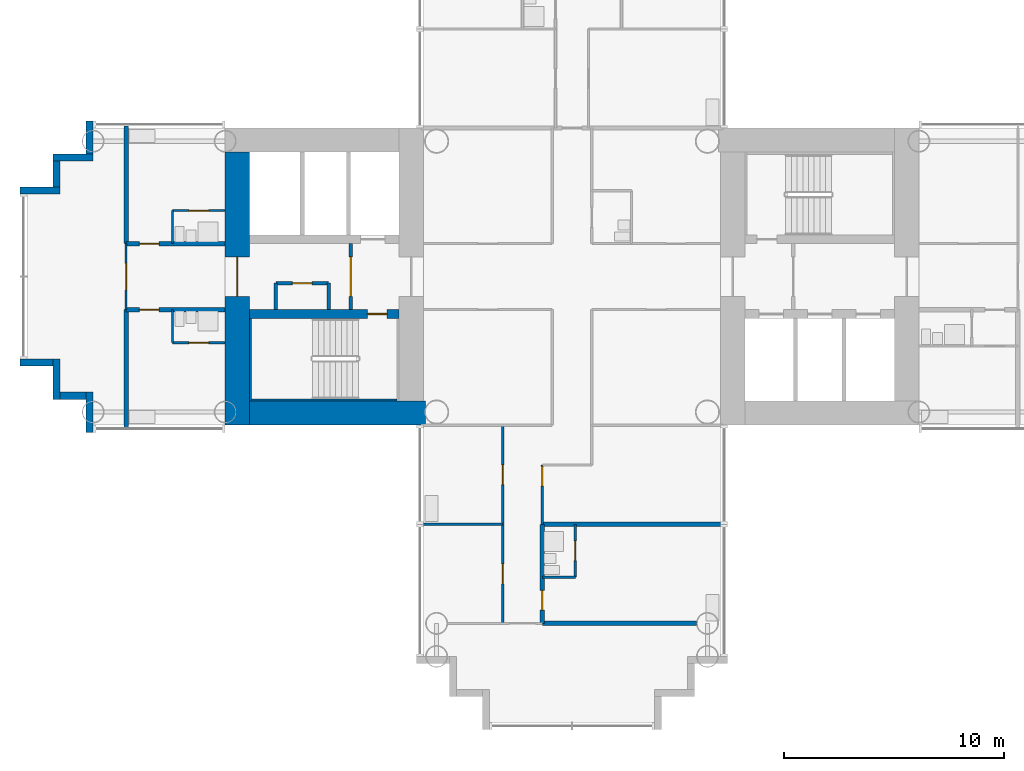
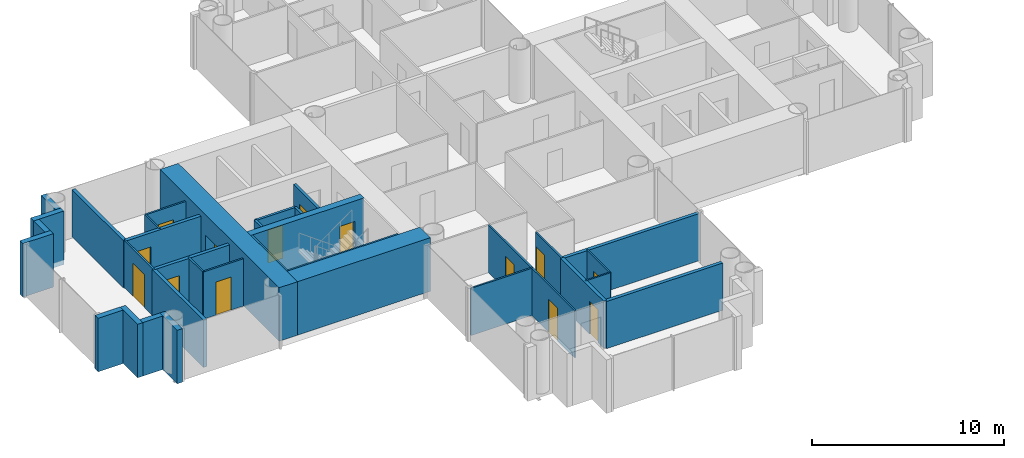
# One storey, part 9 of 21: 34 walls, 14 doors, 14 openings.
"""IFC4 building model written with IfcOpenShell, lengths in metres."""

from ifc_helpers import new_model, si_unit, direction, frame, frame_2d, origin, place, context, subcontext, project, spatial, rectangle, extrude, material, layer, layer_set, type_object, element, fill, save


model = new_model("IFC4")

# Units and contexts
model_context = context("Model", 3, precision=1e-05, world=origin(), true_north=direction((0.0, 1.0)))
body_context = subcontext(model_context, "Body", "Model", "MODEL_VIEW")
ifc_project = project(units=[si_unit("LENGTHUNIT", "METRE"), si_unit("AREAUNIT", "SQUARE_METRE"), si_unit("VOLUMEUNIT", "CUBIC_METRE"), si_unit("PLANEANGLEUNIT", "RADIAN"), si_unit("MASSUNIT", "GRAM", prefix="KILO")], contexts=[model_context])

# Site, building, storey
site_placement = place(None, origin())
site = spatial("IfcSite", under=ifc_project, at=site_placement, CompositionType="ELEMENT")
building_placement = place(site_placement, origin())
building = spatial("IfcBuilding", under=site, at=building_placement, Name="Ipe Terrace Towers", CompositionType="ELEMENT")
storey_placement = place(building_placement, frame((0.0, 0.0, 27.89990234375)))
storey = spatial("IfcBuildingStorey", under=building, at=storey_placement, Name="L06", CompositionType="ELEMENT", Elevation=27.89990234375)

# Walls
ifc_material_1 = material(Name="Concrete C40/50 with buff precast cladding", Category="concrete")
ifc_layer_1 = layer(ifc_material_1, 0.320068359375)
ifc_layer_set_1 = layer_set([ifc_layer_1], Name="BUFF CLADDING WALL 320")
wall_type_1 = type_object("IfcWallType", Name="BUFF CLADDING WALL 320", PredefinedType="STANDARD", material=ifc_layer_set_1)
wall_1_placement = place(storey_placement, frame((-61.070068359375, -3.909912109375, -0.2998046875), z_axis=(0.0, 0.0, 1.0), x_axis=(1.0, 0.0, 0.0)))
element("IfcWall", 1, at=wall_1_placement, inside=storey, type_object=wall_type_1, Name="T1-W-L06-00a wall", PredefinedType="STANDARD", context=body_context, shape_type="SweptSolid", body=[
    extrude(rectangle(XDim=1.5, YDim=0.320068359375, at=frame_2d((0.75, 0.0))), origin(), (0.0, 0.0, 1.0), 3.39990234375),
])
wall_2_placement = place(storey_placement, frame((-59.409912109375, -3.75, -0.2998046875), z_axis=(0.0, 0.0, 1.0), x_axis=(0.0, -1.0, 0.0)))
element("IfcWall", 2, at=wall_2_placement, inside=storey, type_object=wall_type_1, Name="T1-W-L06-01a wall", PredefinedType="STANDARD", context=body_context, shape_type="SweptSolid", body=[
    extrude(rectangle(XDim=1.820068359375, YDim=0.320068359375, at=frame_2d((0.91015625, 0.0))), origin(), (0.0, 0.0, 1.0), 3.39990234375),
])
wall_3_placement = place(storey_placement, frame((-59.25, -5.409912109375, -0.2998046875), z_axis=(0.0, 0.0, 1.0), x_axis=(1.0, 0.0, 0.0)))
element("IfcWall", 3, at=wall_3_placement, inside=storey, type_object=wall_type_1, Name="T1-W-L06-02a wall", PredefinedType="STANDARD", context=body_context, shape_type="SweptSolid", body=[
    extrude(rectangle(XDim=1.179931640625, YDim=0.320068359375, at=frame_2d((0.58984375, 0.0))), origin(), (0.0, 0.0, 1.0), 3.39990234375),
])
wall_4_placement = place(storey_placement, frame((-57.909912109375, -5.25, -0.2998046875), z_axis=(0.0, 0.0, 1.0), x_axis=(0.0, -1.0, 0.0)))
element("IfcWall", 4, at=wall_4_placement, inside=storey, type_object=wall_type_1, Name="T1-W-L06-03a wall", PredefinedType="STANDARD", context=body_context, shape_type="SweptSolid", body=[
    extrude(rectangle(XDim=1.820068359375, YDim=0.320068359375, at=frame_2d((0.91015625, 0.0))), origin(), (0.0, 0.0, 1.0), 3.39990234375),
])
wall_5_placement = place(storey_placement, frame((-57.909912109375, 7.070068359375, -0.2998046875), z_axis=(0.0, 0.0, 1.0), x_axis=(0.0, -1.0, 0.0)))
element("IfcWall", 5, at=wall_5_placement, inside=storey, type_object=wall_type_1, Name="T1-W-L06-47a wall", PredefinedType="STANDARD", context=body_context, shape_type="SweptSolid", body=[
    extrude(rectangle(XDim=1.5, YDim=0.320068359375, at=frame_2d((0.75, 0.0))), origin(), (0.0, 0.0, 1.0), 3.39990234375),
])
wall_6_placement = place(storey_placement, frame((-57.75, 5.409912109375, -0.2998046875), z_axis=(0.0, 0.0, 1.0), x_axis=(-1.0, 0.0, 0.0)))
element("IfcWall", 6, at=wall_6_placement, inside=storey, type_object=wall_type_1, Name="T1-W-L06-48a wall", PredefinedType="STANDARD", context=body_context, shape_type="SweptSolid", body=[
    extrude(rectangle(XDim=1.820068359375, YDim=0.320068359375, at=frame_2d((0.91015625, 0.0))), origin(), (0.0, 0.0, 1.0), 3.39990234375),
])
wall_7_placement = place(storey_placement, frame((-59.409912109375, 5.25, -0.2998046875), z_axis=(0.0, 0.0, 1.0), x_axis=(0.0, -1.0, 0.0)))
element("IfcWall", 7, at=wall_7_placement, inside=storey, type_object=wall_type_1, Name="T1-W-L06-49a wall", PredefinedType="STANDARD", context=body_context, shape_type="SweptSolid", body=[
    extrude(rectangle(XDim=1.179931640625, YDim=0.320068359375, at=frame_2d((0.58984375, 0.0))), origin(), (0.0, 0.0, 1.0), 3.39990234375),
])
wall_8_placement = place(storey_placement, frame((-59.25, 3.909912109375, -0.2998046875), z_axis=(0.0, 0.0, 1.0), x_axis=(-1.0, 0.0, 0.0)))
element("IfcWall", 8, at=wall_8_placement, inside=storey, type_object=wall_type_1, Name="T1-W-L06-50a wall", PredefinedType="STANDARD", context=body_context, shape_type="SweptSolid", body=[
    extrude(rectangle(XDim=1.820068359375, YDim=0.320068359375, at=frame_2d((0.91015625, 0.0))), origin(), (0.0, 0.0, 1.0), 3.39990234375),
])

# Wall, opening, door
ifc_material_2 = material(Name="Gypsum board partition", Category="plasterboard")
ifc_layer_2 = layer(ifc_material_2, 0.10009765625)
ifc_layer_set_2 = layer_set([ifc_layer_2], Name="Gypsum board partition 100 mm")
wall_type_2 = type_object("IfcWallType", Name="Gypsum board partition 100 mm", PredefinedType="PARTITIONING", material=ifc_layer_set_2)
wall_9_placement = place(storey_placement, frame((-56.25, -1.5, 0.0), z_axis=(0.0, 0.0, 1.0), x_axis=(0.0, 1.0, 0.0)))
wall_9 = element("IfcWall", 9, at=wall_9_placement, inside=storey, type_object=wall_type_2, Name="Gypsum board partition T1 L06 W01", PredefinedType="PARTITIONING", context=body_context, shape_type="SweptSolid", body=[
    extrude(rectangle(XDim=3.0, YDim=0.10009765625, at=frame_2d((1.5, 0.0))), origin(), (0.0, 0.0, 1.0), 3.0),
])
opening_1_placement = place(wall_9_placement, frame((0.89990234375, 0.0, 0.0)))
opening_1 = element("IfcOpeningElement", 10, at=opening_1_placement, cuts=wall_9, Name="Opening T1-Z1A-31", PredefinedType="OPENING", context=body_context, shape_type="SweptSolid", body=[
    extrude(rectangle(XDim=1.199951171875, YDim=2.10009765625, at=frame_2d((0.60009765625, 1.050048828125))), frame((0.0, 0.06005859375, 0.0), z_axis=(0.0, -1.0, 0.0), x_axis=(1.0, 0.0, 0.0)), (0.0, 0.0, 1.0), 0.1201171875),
])
ifc_material_3 = material(Name="Timber door leaf", Category="wood")
door_type_1 = type_object("IfcDoorType", Name="Lounge door 1200 x 2100", OperationType="NOTDEFINED", PredefinedType="DOOR", material=ifc_material_3)
door_1_placement = place(opening_1_placement, origin())
door_1 = element("IfcDoor", 11, at=door_1_placement, inside=storey, type_object=door_type_1, Name="Lounge door T1-Z1A-31", OperationType="SINGLE_SWING_LEFT", OverallHeight=2.10009765625, OverallWidth=1.199951171875, PredefinedType="DOOR", context=body_context, shape_type="SweptSolid", body=[
    extrude(rectangle(XDim=1.199951171875, YDim=2.10009765625, at=frame_2d((0.60009765625, 1.050048828125))), frame((0.0, 0.02490234375, 0.0), z_axis=(0.0, -1.0, 0.0), x_axis=(1.0, 0.0, 0.0)), (0.0, 0.0, 1.0), 0.050048828125),
])
fill(opening_1, door_1)

# Walls
for number, where, z_axis, x_axis, name in (
    (12, (-54.14990234375, -3.0, 0.0), (0.0, 0.0, 1.0), (0.0, 1.0, 0.0), "Gypsum board partition T1 L06 W04"),
    (13, (-54.14990234375, 1.5, 0.0), (0.0, 0.0, 1.0), (0.0, 1.0, 0.0), "Gypsum board partition T1 L06 W05"),
):
    element("IfcWall", number, at=place(storey_placement, frame(where, z_axis=z_axis, x_axis=x_axis)), inside=storey, type_object=wall_type_2, Name=name, PredefinedType="PARTITIONING", context=body_context, shape_type="SweptSolid", body=[
        extrude(rectangle(XDim=1.5, YDim=0.10009765625, at=frame_2d((0.75, 0.0))), origin(), (0.0, 0.0, 1.0), 3.0),
    ])

# Wall, openings, doors
wall_10_placement = place(storey_placement, frame((-39.14990234375, -15.75, 0.0), z_axis=(0.0, 0.0, 1.0), x_axis=(0.0, 1.0, 0.0)))
wall_10 = element("IfcWall", 14, at=wall_10_placement, inside=storey, type_object=wall_type_2, Name="Gypsum board partition T1 L06 W06", PredefinedType="PARTITIONING", context=body_context, shape_type="SweptSolid", body=[
    extrude(rectangle(XDim=9.0, YDim=0.10009765625, at=frame_2d((4.5, 0.0))), origin(), (0.0, 0.0, 1.0), 3.0),
])
opening_2_placement = place(wall_10_placement, frame((6.300048828125, 0.0, 0.0)))
opening_2 = element("IfcOpeningElement", 15, at=opening_2_placement, cuts=wall_10, Name="Opening T1-Z1A-19", PredefinedType="OPENING", context=body_context, shape_type="SweptSolid", body=[
    extrude(rectangle(XDim=0.89990234375, YDim=2.10009765625, at=frame_2d((0.449951171875, 1.050048828125))), frame((0.0, 0.06005859375, 0.0), z_axis=(0.0, -1.0, 0.0), x_axis=(1.0, 0.0, 0.0)), (0.0, 0.0, 1.0), 0.1201171875),
])
opening_3_placement = place(wall_10_placement, frame((1.800048828125, 0.0, 0.0)))
opening_3 = element("IfcOpeningElement", 16, at=opening_3_placement, cuts=wall_10, Name="Opening T1-Z1A-20", PredefinedType="OPENING", context=body_context, shape_type="SweptSolid", body=[
    extrude(rectangle(XDim=0.89990234375, YDim=2.10009765625, at=frame_2d((0.449951171875, 1.050048828125))), frame((0.0, 0.06005859375, 0.0), z_axis=(0.0, -1.0, 0.0), x_axis=(1.0, 0.0, 0.0)), (0.0, 0.0, 1.0), 0.1201171875),
])
ifc_material_4 = material(Name="Timber door leaf", Category="wood")
door_type_2 = type_object("IfcDoorType", Name="Lounge door 900 x 2100", OperationType="NOTDEFINED", PredefinedType="DOOR", material=ifc_material_4)
door_2_placement = place(opening_2_placement, origin())
door_2 = element("IfcDoor", 17, at=door_2_placement, inside=storey, type_object=door_type_2, Name="Lounge door T1-Z1A-19", OperationType="SINGLE_SWING_LEFT", OverallHeight=2.10009765625, OverallWidth=0.89990234375, PredefinedType="DOOR", context=body_context, shape_type="SweptSolid", body=[
    extrude(rectangle(XDim=0.89990234375, YDim=2.10009765625, at=frame_2d((0.449951171875, 1.050048828125))), frame((0.0, 0.02490234375, 0.0), z_axis=(0.0, -1.0, 0.0), x_axis=(1.0, 0.0, 0.0)), (0.0, 0.0, 1.0), 0.050048828125),
])
fill(opening_2, door_2)
door_3_placement = place(opening_3_placement, origin())
door_3 = element("IfcDoor", 18, at=door_3_placement, inside=storey, type_object=door_type_2, Name="Lounge door T1-Z1A-20", OperationType="SINGLE_SWING_RIGHT", OverallHeight=2.10009765625, OverallWidth=0.89990234375, PredefinedType="DOOR", context=body_context, shape_type="SweptSolid", body=[
    extrude(rectangle(XDim=0.89990234375, YDim=2.10009765625, at=frame_2d((0.449951171875, 1.050048828125))), frame((0.0, 0.02490234375, 0.0), z_axis=(0.0, -1.0, 0.0), x_axis=(1.0, 0.0, 0.0)), (0.0, 0.0, 1.0), 0.050048828125),
])
fill(opening_3, door_3)

# Wall, opening, door
wall_11_placement = place(storey_placement, frame((-37.35009765625, -11.25, 0.0), z_axis=(0.0, 0.0, 1.0), x_axis=(0.0, 1.0, 0.0)))
wall_11 = element("IfcWall", 19, at=wall_11_placement, inside=storey, type_object=wall_type_2, Name="Gypsum board partition T1 L06 W08", PredefinedType="PARTITIONING", context=body_context, shape_type="SweptSolid", body=[
    extrude(rectangle(XDim=2.699951171875, YDim=0.10009765625, at=frame_2d((1.35009765625, 0.0))), origin(), (0.0, 0.0, 1.0), 3.0),
])
opening_4_placement = place(wall_11_placement, frame((1.72998046875, 0.0, 0.0)))
opening_4 = element("IfcOpeningElement", 20, at=opening_4_placement, cuts=wall_11, Name="Opening T1-Z1A-16", PredefinedType="OPENING", context=body_context, shape_type="SweptSolid", body=[
    extrude(rectangle(XDim=0.89990234375, YDim=2.10009765625, at=frame_2d((0.449951171875, 1.050048828125))), frame((0.0, 0.06005859375, 0.0), z_axis=(0.0, -1.0, 0.0), x_axis=(1.0, 0.0, 0.0)), (0.0, 0.0, 1.0), 0.1201171875),
])
door_4_placement = place(opening_4_placement, origin())
door_4 = element("IfcDoor", 21, at=door_4_placement, inside=storey, type_object=door_type_2, Name="Lounge door T1-Z1A-16", OperationType="SINGLE_SWING_RIGHT", OverallHeight=2.10009765625, OverallWidth=0.89990234375, PredefinedType="DOOR", context=body_context, shape_type="SweptSolid", body=[
    extrude(rectangle(XDim=0.89990234375, YDim=2.10009765625, at=frame_2d((0.449951171875, 1.050048828125))), frame((0.0, 0.02490234375, 0.0), z_axis=(0.0, -1.0, 0.0), x_axis=(1.0, 0.0, 0.0)), (0.0, 0.0, 1.0), 0.050048828125),
])
fill(opening_4, door_4)

wall_12_placement = place(storey_placement, frame((-35.85009765625, -13.64990234375, 0.0), z_axis=(0.0, 0.0, 1.0), x_axis=(0.0, 1.0, 0.0)))
wall_12 = element("IfcWall", 22, at=wall_12_placement, inside=storey, type_object=wall_type_2, Name="Gypsum board partition T1 L06 W13", PredefinedType="PARTITIONING", context=body_context, shape_type="SweptSolid", body=[
    extrude(rectangle(XDim=2.39990234375, YDim=0.10009765625, at=frame_2d((1.199951171875, 0.0))), origin(), (0.0, 0.0, 1.0), 3.0),
])
opening_5_placement = place(wall_12_placement, frame((0.75, 0.0, 0.0)))
opening_5 = element("IfcOpeningElement", 23, at=opening_5_placement, cuts=wall_12, Name="Opening T1-Z1A-18", PredefinedType="OPENING", context=body_context, shape_type="SweptSolid", body=[
    extrude(rectangle(XDim=0.89990234375, YDim=2.10009765625, at=frame_2d((0.449951171875, 1.050048828125))), frame((0.0, 0.06005859375, 0.0), z_axis=(0.0, -1.0, 0.0), x_axis=(1.0, 0.0, 0.0)), (0.0, 0.0, 1.0), 0.1201171875),
])
ifc_material_5 = material(Name="Timber door leaf", Category="wood")
door_type_3 = type_object("IfcDoorType", Name="Bathroom door 900 x 2100", OperationType="NOTDEFINED", PredefinedType="DOOR", material=ifc_material_5)
door_5_placement = place(opening_5_placement, origin())
door_5 = element("IfcDoor", 24, at=door_5_placement, inside=storey, type_object=door_type_3, Name="Bathroom door T1-Z1A-18", OperationType="SINGLE_SWING_LEFT", OverallHeight=2.10009765625, OverallWidth=0.89990234375, PredefinedType="DOOR", context=body_context, shape_type="SweptSolid", body=[
    extrude(rectangle(XDim=0.89990234375, YDim=2.10009765625, at=frame_2d((0.449951171875, 1.050048828125))), frame((0.0, 0.02490234375, 0.0), z_axis=(0.0, -1.0, 0.0), x_axis=(1.0, 0.0, 0.0)), (0.0, 0.0, 1.0), 0.050048828125),
])
fill(opening_5, door_5)

# Walls
wall_13_placement = place(storey_placement, frame((-37.35009765625, -13.64990234375, 0.0), z_axis=(0.0, 0.0, 1.0), x_axis=(1.0, 0.0, 0.0)))
element("IfcWall", 25, at=wall_13_placement, inside=storey, type_object=wall_type_2, Name="Gypsum board partition T1 L06 W24", PredefinedType="PARTITIONING", context=body_context, shape_type="SweptSolid", body=[
    extrude(rectangle(XDim=1.5, YDim=0.10009765625, at=frame_2d((0.75, 0.0))), origin(), (0.0, 0.0, 1.0), 3.0),
])
wall_14_placement = place(storey_placement, frame((-42.85009765625, -11.25, 0.0), z_axis=(0.0, 0.0, 1.0), x_axis=(1.0, 0.0, 0.0)))
element("IfcWall", 26, at=wall_14_placement, inside=storey, type_object=wall_type_2, Name="Gypsum board partition T1 L06 W25", PredefinedType="PARTITIONING", context=body_context, shape_type="SweptSolid", body=[
    extrude(rectangle(XDim=3.7001953125, YDim=0.10009765625, at=frame_2d((1.85009765625, 0.0))), origin(), (0.0, 0.0, 1.0), 3.0),
])

# Wall, opening, door
wall_15_placement = place(storey_placement, frame((-54.14990234375, -3.0, 0.0), z_axis=(0.0, 0.0, 1.0), x_axis=(1.0, 0.0, 0.0)))
wall_15 = element("IfcWall", 27, at=wall_15_placement, inside=storey, type_object=wall_type_2, Name="Gypsum board partition T1 L06 W31", PredefinedType="PARTITIONING", context=body_context, shape_type="SweptSolid", body=[
    extrude(rectangle(XDim=2.39990234375, YDim=0.10009765625, at=frame_2d((1.199951171875, 0.0))), origin(), (0.0, 0.0, 1.0), 3.0),
])
opening_6_placement = place(wall_15_placement, frame((0.75, 0.0, 0.0)))
opening_6 = element("IfcOpeningElement", 28, at=opening_6_placement, cuts=wall_15, Name="Opening T1-Z1A-28", PredefinedType="OPENING", context=body_context, shape_type="SweptSolid", body=[
    extrude(rectangle(XDim=0.89990234375, YDim=2.10009765625, at=frame_2d((0.449951171875, 1.050048828125))), frame((0.0, 0.06005859375, 0.0), z_axis=(0.0, -1.0, 0.0), x_axis=(1.0, 0.0, 0.0)), (0.0, 0.0, 1.0), 0.1201171875),
])
door_6_placement = place(opening_6_placement, origin())
door_6 = element("IfcDoor", 29, at=door_6_placement, inside=storey, type_object=door_type_3, Name="Bathroom door T1-Z1A-28", OperationType="SINGLE_SWING_LEFT", OverallHeight=2.10009765625, OverallWidth=0.89990234375, PredefinedType="DOOR", context=body_context, shape_type="SweptSolid", body=[
    extrude(rectangle(XDim=0.89990234375, YDim=2.10009765625, at=frame_2d((0.449951171875, 1.050048828125))), frame((0.0, 0.02490234375, 0.0), z_axis=(0.0, -1.0, 0.0), x_axis=(1.0, 0.0, 0.0)), (0.0, 0.0, 1.0), 0.050048828125),
])
fill(opening_6, door_6)

wall_16_placement = place(storey_placement, frame((-54.14990234375, 3.0, 0.0), z_axis=(0.0, 0.0, 1.0), x_axis=(1.0, 0.0, 0.0)))
wall_16 = element("IfcWall", 30, at=wall_16_placement, inside=storey, type_object=wall_type_2, Name="Gypsum board partition T1 L06 W40", PredefinedType="PARTITIONING", context=body_context, shape_type="SweptSolid", body=[
    extrude(rectangle(XDim=2.39990234375, YDim=0.10009765625, at=frame_2d((1.199951171875, 0.0))), origin(), (0.0, 0.0, 1.0), 3.0),
])
opening_7_placement = place(wall_16_placement, frame((0.75, 0.0, 0.0)))
opening_7 = element("IfcOpeningElement", 31, at=opening_7_placement, cuts=wall_16, Name="Opening T1-Z1A-30", PredefinedType="OPENING", context=body_context, shape_type="SweptSolid", body=[
    extrude(rectangle(XDim=0.89990234375, YDim=2.10009765625, at=frame_2d((0.449951171875, 1.050048828125))), frame((0.0, 0.06005859375, 0.0), z_axis=(0.0, -1.0, 0.0), x_axis=(1.0, 0.0, 0.0)), (0.0, 0.0, 1.0), 0.1201171875),
])
door_7_placement = place(opening_7_placement, origin())
door_7 = element("IfcDoor", 32, at=door_7_placement, inside=storey, type_object=door_type_3, Name="Bathroom door T1-Z1A-30", OperationType="SINGLE_SWING_RIGHT", OverallHeight=2.10009765625, OverallWidth=0.89990234375, PredefinedType="DOOR", context=body_context, shape_type="SweptSolid", body=[
    extrude(rectangle(XDim=0.89990234375, YDim=2.10009765625, at=frame_2d((0.449951171875, 1.050048828125))), frame((0.0, 0.02490234375, 0.0), z_axis=(0.0, -1.0, 0.0), x_axis=(1.0, 0.0, 0.0)), (0.0, 0.0, 1.0), 0.050048828125),
])
fill(opening_7, door_7)

ifc_material_6 = material(Name="Gypsum board partition", Category="plasterboard")
ifc_layer_3 = layer(ifc_material_6, 0.14990234375)
ifc_layer_set_3 = layer_set([ifc_layer_3], Name="Gypsum board partition 150 mm")
wall_type_3 = type_object("IfcWallType", Name="Gypsum board partition 150 mm", PredefinedType="PARTITIONING", material=ifc_layer_set_3)
wall_17_placement = place(storey_placement, frame((-46.050048828125, 1.5, 0.0), z_axis=(0.0, 0.0, 1.0), x_axis=(0.0, -1.0, 0.0)))
wall_17 = element("IfcWall", 33, at=wall_17_placement, inside=storey, type_object=wall_type_3, Name="Gypsum board partition T1 L06 t1c2-lobby-wall", PredefinedType="PARTITIONING", context=body_context, shape_type="SweptSolid", body=[
    extrude(rectangle(XDim=3.0, YDim=0.14990234375, at=frame_2d((1.5, 0.0))), origin(), (0.0, 0.0, 1.0), 3.0),
])
opening_8_placement = place(wall_17_placement, frame((0.60009765625, 0.0, 0.0)))
opening_8 = element("IfcOpeningElement", 34, at=opening_8_placement, cuts=wall_17, Name="Opening T1C2-VD", PredefinedType="OPENING", context=body_context, shape_type="SweptSolid", body=[
    extrude(rectangle(XDim=1.800048828125, YDim=2.10009765625, at=frame_2d((0.89990234375, 1.050048828125))), frame((0.0, 0.0849609375, 0.0), z_axis=(0.0, -1.0, 0.0), x_axis=(1.0, 0.0, 0.0)), (0.0, 0.0, 1.0), 0.169921875),
])
ifc_material_7 = material(Name="Fire-rated timber door leaf", Category="wood")
door_type_4 = type_object("IfcDoorType", Name="Lobby door 1800 x 2100 FD60", OperationType="NOTDEFINED", PredefinedType="DOOR", material=ifc_material_7)
door_8_placement = place(opening_8_placement, origin())
door_8 = element("IfcDoor", 35, at=door_8_placement, inside=storey, type_object=door_type_4, Name="Lobby door T1C2-VD", OperationType="SINGLE_SWING_LEFT", OverallHeight=2.10009765625, OverallWidth=1.800048828125, PredefinedType="DOOR", context=body_context, shape_type="SweptSolid", body=[
    extrude(rectangle(XDim=1.800048828125, YDim=2.10009765625, at=frame_2d((0.89990234375, 1.050048828125))), frame((0.0, 0.02490234375, 0.0), z_axis=(0.0, -1.0, 0.0), x_axis=(1.0, 0.0, 0.0)), (0.0, 0.0, 1.0), 0.050048828125),
])
fill(opening_8, door_8)

wall_18_placement = place(storey_placement, frame((-47.050048828125, -0.300048828125, 0.0), z_axis=(0.0, 0.0, 1.0), x_axis=(-1.0, 0.0, 0.0)))
wall_18 = element("IfcWall", 36, at=wall_18_placement, inside=storey, type_object=wall_type_3, Name="Gypsum board partition T1 L06 t1c2-cup-n-f", PredefinedType="PARTITIONING", context=body_context, shape_type="SweptSolid", body=[
    extrude(rectangle(XDim=2.39990234375, YDim=0.14990234375, at=frame_2d((1.199951171875, 0.0))), origin(), (0.0, 0.0, 1.0), 3.0),
])
opening_9_placement = place(wall_18_placement, frame((0.75, 0.0, 0.0)))
opening_9 = element("IfcOpeningElement", 37, at=opening_9_placement, cuts=wall_18, Name="Opening T1C2-SR", PredefinedType="OPENING", context=body_context, shape_type="SweptSolid", body=[
    extrude(rectangle(XDim=0.89990234375, YDim=2.10009765625, at=frame_2d((0.449951171875, 1.050048828125))), frame((0.0, 0.0849609375, 0.0), z_axis=(0.0, -1.0, 0.0), x_axis=(1.0, 0.0, 0.0)), (0.0, 0.0, 1.0), 0.169921875),
])
ifc_material_8 = material(Name="Fire-rated timber door leaf", Category="wood")
door_type_5 = type_object("IfcDoorType", Name="Service door 900 x 2100 FD60", OperationType="NOTDEFINED", PredefinedType="DOOR", material=ifc_material_8)
door_9_placement = place(opening_9_placement, origin())
door_9 = element("IfcDoor", 38, at=door_9_placement, inside=storey, type_object=door_type_5, Name="Service door T1C2-SR", OperationType="SINGLE_SWING_LEFT", OverallHeight=2.10009765625, OverallWidth=0.89990234375, PredefinedType="DOOR", context=body_context, shape_type="SweptSolid", body=[
    extrude(rectangle(XDim=0.89990234375, YDim=2.10009765625, at=frame_2d((0.449951171875, 1.050048828125))), frame((0.0, 0.02490234375, 0.0), z_axis=(0.0, -1.0, 0.0), x_axis=(1.0, 0.0, 0.0)), (0.0, 0.0, 1.0), 0.050048828125),
])
fill(opening_9, door_9)

# Walls
for number, where, z_axis, x_axis, name in (
    (39, (-47.050048828125, -0.300048828125, 0.0), (0.0, 0.0, 1.0), (0.0, -1.0, 0.0), "Gypsum board partition T1 L06 t1c2-cup-n-a"),
    (40, (-49.449951171875, -0.300048828125, 0.0), (0.0, 0.0, 1.0), (0.0, -1.0, 0.0), "Gypsum board partition T1 L06 t1c2-cup-n-b"),
):
    element("IfcWall", number, at=place(storey_placement, frame(where, z_axis=z_axis, x_axis=x_axis)), inside=storey, type_object=wall_type_3, Name=name, PredefinedType="PARTITIONING", context=body_context, shape_type="SweptSolid", body=[
        extrude(rectangle(XDim=1.199951171875, YDim=0.14990234375, at=frame_2d((0.60009765625, 0.0))), origin(), (0.0, 0.0, 1.0), 3.0),
    ])
ifc_material_9 = material(Name="Gypsum board party wall", Category="plasterboard")
ifc_layer_4 = layer(ifc_material_9, 0.199951171875)
ifc_layer_set_4 = layer_set([ifc_layer_4], Name="Gypsum board party wall 200 mm")
wall_type_4 = type_object("IfcWallType", Name="Gypsum board party wall 200 mm", PredefinedType="SOLIDWALL", material=ifc_layer_set_4)
for number, where, z_axis, x_axis, name in (
    (41, (-56.25, -6.85009765625, 0.0), (0.0, 0.0, 1.0), (0.0, 1.0, 0.0), "Gypsum board party wall T1 L06 W02"),
    (42, (-56.25, 1.5, 0.0), (0.0, 0.0, 1.0), (0.0, 1.0, 0.0), "Gypsum board party wall T1 L06 W03"),
):
    element("IfcWall", number, at=place(storey_placement, frame(where, z_axis=z_axis, x_axis=x_axis)), inside=storey, type_object=wall_type_4, Name=name, PredefinedType="SOLIDWALL", context=body_context, shape_type="SweptSolid", body=[
        extrude(rectangle(XDim=5.35009765625, YDim=0.199951171875, at=frame_2d((2.675048828125, 0.0))), origin(), (0.0, 0.0, 1.0), 3.0),
    ])

# Wall, opening, door
wall_19_placement = place(storey_placement, frame((-37.35009765625, -15.75, 0.0), z_axis=(0.0, 0.0, 1.0), x_axis=(0.0, 1.0, 0.0)))
wall_19 = element("IfcWall", 43, at=wall_19_placement, inside=storey, type_object=wall_type_4, Name="Gypsum board party wall T1 L06 W09", PredefinedType="SOLIDWALL", context=body_context, shape_type="SweptSolid", body=[
    extrude(rectangle(XDim=4.5, YDim=0.199951171875, at=frame_2d((2.25, 0.0))), origin(), (0.0, 0.0, 1.0), 3.0),
])
opening_10_placement = place(wall_19_placement, frame((0.60009765625, 0.0, 0.0)))
opening_10 = element("IfcOpeningElement", 44, at=opening_10_placement, cuts=wall_19, Name="Opening T1-Z1A-17", PredefinedType="OPENING", context=body_context, shape_type="SweptSolid", body=[
    extrude(rectangle(XDim=0.89990234375, YDim=2.10009765625, at=frame_2d((0.449951171875, 1.050048828125))), frame((0.0, 0.10986328125, 0.0), z_axis=(0.0, -1.0, 0.0), x_axis=(1.0, 0.0, 0.0)), (0.0, 0.0, 1.0), 0.219970703125),
])
ifc_material_10 = material(Name="Fire-rated timber door leaf", Category="wood")
door_type_6 = type_object("IfcDoorType", Name="Flat entrance door 900 x 2100 FD30S", OperationType="NOTDEFINED", PredefinedType="DOOR", material=ifc_material_10)
door_10_placement = place(opening_10_placement, origin())
door_10 = element("IfcDoor", 45, at=door_10_placement, inside=storey, type_object=door_type_6, Name="Flat entrance door T1-Z1A-17", OperationType="SINGLE_SWING_LEFT", OverallHeight=2.10009765625, OverallWidth=0.89990234375, PredefinedType="DOOR", context=body_context, shape_type="SweptSolid", body=[
    extrude(rectangle(XDim=0.89990234375, YDim=2.10009765625, at=frame_2d((0.449951171875, 1.050048828125))), frame((0.0, 0.02490234375, 0.0), z_axis=(0.0, -1.0, 0.0), x_axis=(1.0, 0.0, 0.0)), (0.0, 0.0, 1.0), 0.050048828125),
])
fill(opening_10, door_10)

# Walls
wall_20_placement = place(storey_placement, frame((-37.35009765625, -15.75, 0.0), z_axis=(0.0, 0.0, 1.0), x_axis=(1.0, 0.0, 0.0)))
element("IfcWall", 46, at=wall_20_placement, inside=storey, type_object=wall_type_4, Name="Gypsum board party wall T1 L06 W23", PredefinedType="SOLIDWALL", context=body_context, shape_type="SweptSolid", body=[
    extrude(rectangle(XDim=7.0, YDim=0.199951171875, at=frame_2d((3.5, 0.0))), origin(), (0.0, 0.0, 1.0), 3.0),
])
wall_21_placement = place(storey_placement, frame((-37.35009765625, -11.25, 0.0), z_axis=(0.0, 0.0, 1.0), x_axis=(1.0, 0.0, 0.0)))
element("IfcWall", 47, at=wall_21_placement, inside=storey, type_object=wall_type_4, Name="Gypsum board party wall T1 L06 W26", PredefinedType="SOLIDWALL", context=body_context, shape_type="SweptSolid", body=[
    extrude(rectangle(XDim=8.2001953125, YDim=0.199951171875, at=frame_2d((4.10009765625, 0.0))), origin(), (0.0, 0.0, 1.0), 3.0),
])

# Wall, opening, door
wall_22_placement = place(storey_placement, frame((-56.25, -1.5, 0.0), z_axis=(0.0, 0.0, 1.0), x_axis=(1.0, 0.0, 0.0)))
wall_22 = element("IfcWall", 48, at=wall_22_placement, inside=storey, type_object=wall_type_4, Name="Gypsum board party wall T1 L06 W34", PredefinedType="SOLIDWALL", context=body_context, shape_type="SweptSolid", body=[
    extrude(rectangle(XDim=4.5, YDim=0.199951171875, at=frame_2d((2.25, 0.0))), origin(), (0.0, 0.0, 1.0), 3.0),
])
opening_11_placement = place(wall_22_placement, frame((0.60009765625, 0.0, 0.0)))
opening_11 = element("IfcOpeningElement", 49, at=opening_11_placement, cuts=wall_22, Name="Opening T1-Z1A-27", PredefinedType="OPENING", context=body_context, shape_type="SweptSolid", body=[
    extrude(rectangle(XDim=0.89990234375, YDim=2.10009765625, at=frame_2d((0.449951171875, 1.050048828125))), frame((0.0, 0.10986328125, 0.0), z_axis=(0.0, -1.0, 0.0), x_axis=(1.0, 0.0, 0.0)), (0.0, 0.0, 1.0), 0.219970703125),
])
door_11_placement = place(opening_11_placement, origin())
door_11 = element("IfcDoor", 50, at=door_11_placement, inside=storey, type_object=door_type_6, Name="Flat entrance door T1-Z1A-27", OperationType="SINGLE_SWING_LEFT", OverallHeight=2.10009765625, OverallWidth=0.89990234375, PredefinedType="DOOR", context=body_context, shape_type="SweptSolid", body=[
    extrude(rectangle(XDim=0.89990234375, YDim=2.10009765625, at=frame_2d((0.449951171875, 1.050048828125))), frame((0.0, 0.02490234375, 0.0), z_axis=(0.0, -1.0, 0.0), x_axis=(1.0, 0.0, 0.0)), (0.0, 0.0, 1.0), 0.050048828125),
])
fill(opening_11, door_11)

wall_23_placement = place(storey_placement, frame((-56.25, 1.5, 0.0), z_axis=(0.0, 0.0, 1.0), x_axis=(1.0, 0.0, 0.0)))
wall_23 = element("IfcWall", 51, at=wall_23_placement, inside=storey, type_object=wall_type_4, Name="Gypsum board party wall T1 L06 W39", PredefinedType="SOLIDWALL", context=body_context, shape_type="SweptSolid", body=[
    extrude(rectangle(XDim=4.5, YDim=0.199951171875, at=frame_2d((2.25, 0.0))), origin(), (0.0, 0.0, 1.0), 3.0),
])
opening_12_placement = place(wall_23_placement, frame((0.60009765625, 0.0, 0.0)))
opening_12 = element("IfcOpeningElement", 52, at=opening_12_placement, cuts=wall_23, Name="Opening T1-Z1A-29", PredefinedType="OPENING", context=body_context, shape_type="SweptSolid", body=[
    extrude(rectangle(XDim=0.89990234375, YDim=2.10009765625, at=frame_2d((0.449951171875, 1.050048828125))), frame((0.0, 0.10986328125, 0.0), z_axis=(0.0, -1.0, 0.0), x_axis=(1.0, 0.0, 0.0)), (0.0, 0.0, 1.0), 0.219970703125),
])
door_12_placement = place(opening_12_placement, origin())
door_12 = element("IfcDoor", 53, at=door_12_placement, inside=storey, type_object=door_type_6, Name="Flat entrance door T1-Z1A-29", OperationType="SINGLE_SWING_RIGHT", OverallHeight=2.10009765625, OverallWidth=0.89990234375, PredefinedType="DOOR", context=body_context, shape_type="SweptSolid", body=[
    extrude(rectangle(XDim=0.89990234375, YDim=2.10009765625, at=frame_2d((0.449951171875, 1.050048828125))), frame((0.0, 0.02490234375, 0.0), z_axis=(0.0, -1.0, 0.0), x_axis=(1.0, 0.0, 0.0)), (0.0, 0.0, 1.0), 0.050048828125),
])
fill(opening_12, door_12)

# Walls
ifc_material_11 = material(Name="Concrete C60/75", Category="concrete")
ifc_layer_5 = layer(ifc_material_11, 0.10009765625)
ifc_layer_set_5 = layer_set([ifc_layer_5], Name="RW100 CORE INFILL WALL 100 C60-75")
wall_type_5 = type_object("IfcWallType", Name="RW100 CORE INFILL WALL 100 C60-75", PredefinedType="SHEAR", material=ifc_layer_set_5)
wall_24_placement = place(storey_placement, frame((-50.60009765625, -1.89990234375, 0.0), z_axis=(0.0, 0.0, 1.0), x_axis=(0.0, -1.0, 0.0)))
element("IfcWall", 54, at=wall_24_placement, inside=storey, type_object=wall_type_5, Name="Core infill wall T1-C2-far", PredefinedType="SHEAR", context=body_context, shape_type="SweptSolid", body=[
    extrude(rectangle(XDim=3.75, YDim=0.10009765625, at=frame_2d((1.875, 0.0))), origin(), (0.0, 0.0, 1.0), 3.400146484375),
])
wall_25_placement = place(storey_placement, frame((-43.949951171875, -5.60009765625, 0.0), z_axis=(0.0, 0.0, 1.0), x_axis=(-1.0, 0.0, 0.0)))
element("IfcWall", 55, at=wall_25_placement, inside=storey, type_object=wall_type_5, Name="Core infill wall T1-C2-back", PredefinedType="SHEAR", context=body_context, shape_type="SweptSolid", body=[
    extrude(rectangle(XDim=6.60009765625, YDim=0.10009765625, at=frame_2d((3.300048828125, 0.0))), origin(), (0.0, 0.0, 1.0), 3.400146484375),
])
ifc_material_12 = material(Name="Concrete C60/75", Category="concrete")
ifc_layer_6 = layer(ifc_material_12, 1.10009765625)
ifc_layer_set_6 = layer_set([ifc_layer_6], Name="RW1100 CORE WALL 1100 C60-75")
wall_type_6 = type_object("IfcWallType", Name="RW1100 CORE WALL 1100 C60-75", PredefinedType="SHEAR", material=ifc_layer_set_6)
wall_26_placement = place(storey_placement, frame((-50.64990234375, -6.199951171875, 0.0), z_axis=(0.0, 0.0, 1.0), x_axis=(1.0, 0.0, 0.0)))
element("IfcWall", 56, at=wall_26_placement, inside=storey, type_object=wall_type_6, Name="Core wall T1-C2-Z1-W01", PredefinedType="SHEAR", context=body_context, shape_type="SweptSolid", body=[
    extrude(rectangle(XDim=7.997802734375, YDim=1.10009765625, at=frame_2d((3.9990234375, 0.0))), origin(), (0.0, 0.0, 1.0), 3.400146484375),
])

# Wall, opening, door
wall_27_placement = place(storey_placement, frame((-51.199951171875, 5.64990234375, 0.0), z_axis=(0.0, 0.0, 1.0), x_axis=(0.0, -1.0, 0.0)))
wall_27 = element("IfcWall", 57, at=wall_27_placement, inside=storey, type_object=wall_type_6, Name="Core wall T1-C2-Z1-W04", PredefinedType="SHEAR", context=body_context, shape_type="SweptSolid", body=[
    extrude(rectangle(XDim=12.39990234375, YDim=1.10009765625, at=frame_2d((6.199951171875, 0.0))), origin(), (0.0, 0.0, 1.0), 3.400146484375),
])
opening_13_placement = place(wall_27_placement, frame((4.75, 0.0, 0.0)))
opening_13 = element("IfcOpeningElement", 58, at=opening_13_placement, cuts=wall_27, Name="Opening T1C2-FD", PredefinedType="OPENING", context=body_context, shape_type="SweptSolid", body=[
    extrude(rectangle(XDim=1.800048828125, YDim=2.10009765625, at=frame_2d((0.89990234375, 1.050048828125))), frame((0.0, 0.56005859375, 0.0), z_axis=(0.0, -1.0, 0.0), x_axis=(1.0, 0.0, 0.0)), (0.0, 0.0, 1.0), 1.1201171875),
])
ifc_material_13 = material(Name="Fire-rated timber door leaf", Category="wood")
door_type_7 = type_object("IfcDoorType", Name="Fire door 1800 x 2100 FD30S", OperationType="NOTDEFINED", PredefinedType="DOOR", material=ifc_material_13)
door_13_placement = place(opening_13_placement, origin())
door_13 = element("IfcDoor", 59, at=door_13_placement, inside=storey, type_object=door_type_7, Name="Fire door T1C2-FD", OperationType="SINGLE_SWING_LEFT", OverallHeight=2.10009765625, OverallWidth=1.800048828125, PredefinedType="DOOR", context=body_context, shape_type="SweptSolid", body=[
    extrude(rectangle(XDim=1.800048828125, YDim=2.10009765625, at=frame_2d((0.89990234375, 1.050048828125))), frame((0.0, 0.02490234375, 0.0), z_axis=(0.0, -1.0, 0.0), x_axis=(1.0, 0.0, 0.0)), (0.0, 0.0, 1.0), 0.050048828125),
])
fill(opening_13, door_13)

ifc_material_14 = material(Name="Concrete C60/75", Category="concrete")
ifc_layer_7 = layer(ifc_material_14, 0.39990234375)
ifc_layer_set_7 = layer_set([ifc_layer_7], Name="RW400 CORE SPINE WALL 400 C60-75")
wall_type_7 = type_object("IfcWallType", Name="RW400 CORE SPINE WALL 400 C60-75", PredefinedType="SHEAR", material=ifc_layer_set_7)
wall_28_placement = place(storey_placement, frame((-50.64990234375, -1.699951171875, 0.0), z_axis=(0.0, 0.0, 1.0), x_axis=(1.0, 0.0, 0.0)))
wall_28 = element("IfcWall", 60, at=wall_28_placement, inside=storey, type_object=wall_type_7, Name="Core spine wall T1-C2-Z1-SW1", PredefinedType="SHEAR", context=body_context, shape_type="SweptSolid", body=[
    extrude(rectangle(XDim=6.7998046875, YDim=0.39990234375, at=frame_2d((3.39990234375, 0.0))), origin(), (0.0, 0.0, 1.0), 3.400146484375),
])
opening_14_placement = place(wall_28_placement, frame((5.35009765625, 0.0, 0.0)))
opening_14 = element("IfcOpeningElement", 61, at=opening_14_placement, cuts=wall_28, Name="Opening T1C2-SD", PredefinedType="OPENING", context=body_context, shape_type="SweptSolid", body=[
    extrude(rectangle(XDim=0.89990234375, YDim=2.10009765625, at=frame_2d((0.449951171875, 1.050048828125))), frame((0.0, 0.2099609375, 0.0), z_axis=(0.0, -1.0, 0.0), x_axis=(1.0, 0.0, 0.0)), (0.0, 0.0, 1.0), 0.419921875),
])
ifc_material_15 = material(Name="Fire-rated timber door leaf", Category="wood")
door_type_8 = type_object("IfcDoorType", Name="Stair door 900 x 2100 FD60", OperationType="NOTDEFINED", PredefinedType="DOOR", material=ifc_material_15)
door_14_placement = place(opening_14_placement, origin())
door_14 = element("IfcDoor", 62, at=door_14_placement, inside=storey, type_object=door_type_8, Name="Stair door T1C2-SD", OperationType="SINGLE_SWING_RIGHT", OverallHeight=2.10009765625, OverallWidth=0.89990234375, PredefinedType="DOOR", context=body_context, shape_type="SweptSolid", body=[
    extrude(rectangle(XDim=0.89990234375, YDim=2.10009765625, at=frame_2d((0.449951171875, 1.050048828125))), frame((0.0, 0.02490234375, 0.0), z_axis=(0.0, -1.0, 0.0), x_axis=(1.0, 0.0, 0.0)), (0.0, 0.0, 1.0), 0.050048828125),
])
fill(opening_14, door_14)

save(model, "model.ifc")
